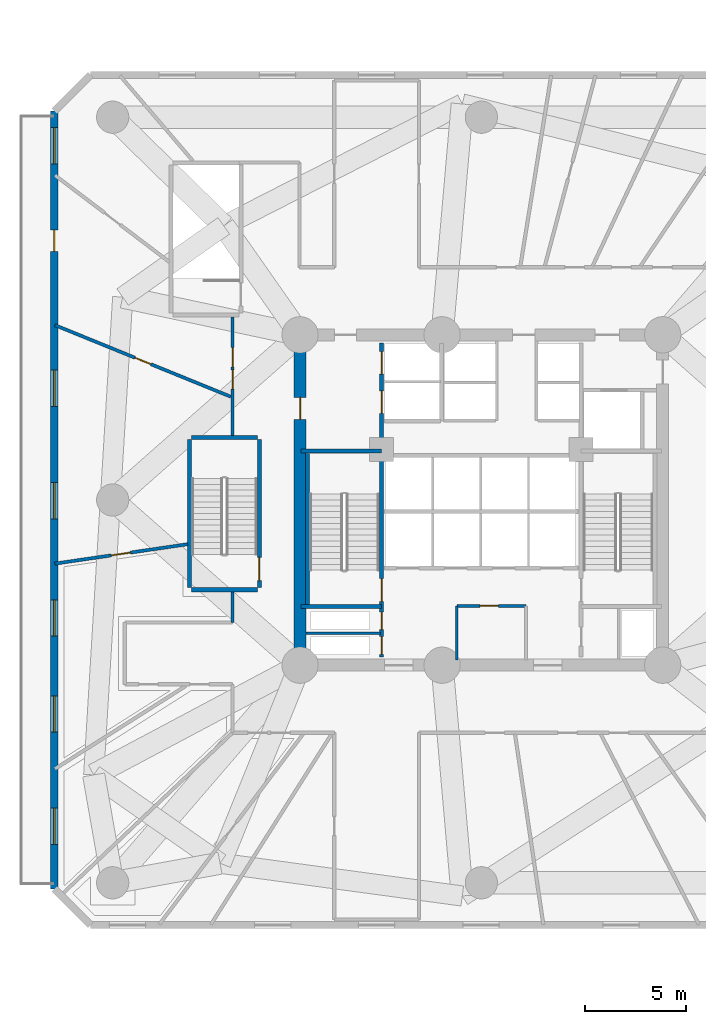
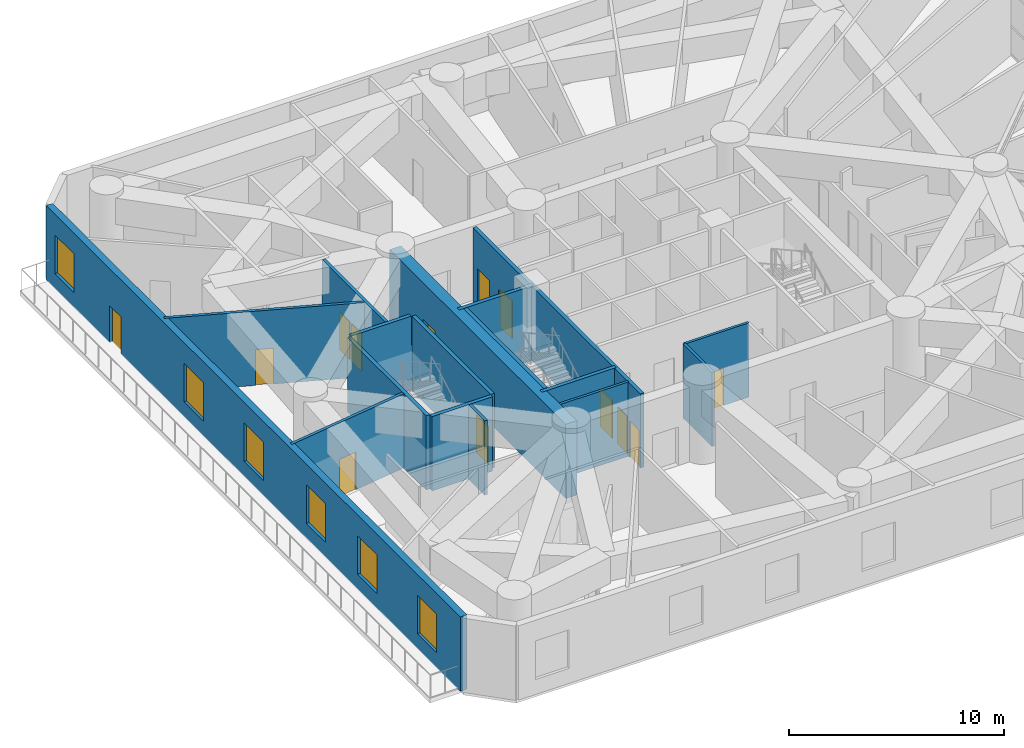
# One storey, part 14 of 22: 17 walls, 13 doors, 6 windows, 19 openings.
"""IFC4 building model written with IfcOpenShell, lengths in metres."""

from ifc_helpers import new_model, si_unit, direction, frame, frame_2d, origin, origin_with_axes, place, context, subcontext, project, spatial, rectangle, extrude, source, transform, mapped, material, layer, layer_set, type_object, element, fill, save


model = new_model("IFC4")

# Units and contexts
model_context = context("Model", 3, precision=1e-05, world=origin(), true_north=direction((0.0, 1.0)))
body_context = subcontext(model_context, "Body", "Model", "MODEL_VIEW")
ifc_project = project(units=[si_unit("LENGTHUNIT", "METRE"), si_unit("AREAUNIT", "SQUARE_METRE"), si_unit("VOLUMEUNIT", "CUBIC_METRE"), si_unit("PLANEANGLEUNIT", "RADIAN"), si_unit("MASSUNIT", "GRAM", prefix="KILO")], contexts=[model_context])

# Site, building, storey
site_placement = place(None, origin())
site = spatial("IfcSite", under=ifc_project, at=site_placement, CompositionType="ELEMENT")
building_placement = place(site_placement, origin())
building = spatial("IfcBuilding", under=site, at=building_placement, Name="Karkom Vertical University and Central Library", CompositionType="ELEMENT")
storey_placement = place(building_placement, frame((0.0, 0.0, 18.0)))
storey = spatial("IfcBuildingStorey", under=building, at=storey_placement, Name="L04", CompositionType="ELEMENT", Elevation=18.0)

# Wall, openings, windows, door
ifc_material_1 = material(Name="Brick masonry 360mm insulated cavity", Category="masonry")
ifc_layer_1 = layer(ifc_material_1, 0.360107421875)
ifc_layer_set_1 = layer_set([ifc_layer_1], Name="Brick masonry 360mm insulated cavity")
wall_type_1 = type_object("IfcWallType", Name="ENV-WL-BRK-360", PredefinedType="SOLIDWALL", material=ifc_layer_set_1)
wall_1_placement = place(storey_placement, frame((7.300048828125, 45.800048828125, 0.0), z_axis=(0.0, 0.0, 1.0), x_axis=(0.0, -1.0, 0.0)))
wall_1 = element("IfcWall", 1, at=wall_1_placement, inside=storey, type_object=wall_type_1, Name="Level 04 POD Terracotta Brick Facade Wall 07", PredefinedType="SOLIDWALL", context=body_context, shape_type="SweptSolid", body=[
    extrude(rectangle(XDim=38.60009765625, YDim=0.360107421875, at=frame_2d((19.300048828125, 0.0))), origin(), (0.0, 0.0, 1.0), 4.22509765625),
])
opening_1_placement = place(wall_1_placement, frame((0.8173828125, 0.0, 0.85009765625)))
opening_1 = element("IfcOpeningElement", 2, at=opening_1_placement, cuts=wall_1, Name="Opening WN-01", PredefinedType="OPENING", context=body_context, shape_type="SweptSolid", body=[
    extrude(rectangle(XDim=1.800048828125, YDim=2.199951171875, at=frame_2d((0.89990234375, 1.10009765625))), frame((0.0, 0.18994140625, 0.0), z_axis=(0.0, -1.0, 0.0), x_axis=(1.0, 0.0, 0.0)), (0.0, 0.0, 1.0), 0.380126953125),
])
opening_2_placement = place(wall_1_placement, frame((12.8486328125, 0.0, 0.85009765625)))
opening_2 = element("IfcOpeningElement", 3, at=opening_2_placement, cuts=wall_1, Name="Opening WN-01", PredefinedType="OPENING", context=body_context, shape_type="SweptSolid", body=[
    extrude(rectangle(XDim=1.800048828125, YDim=2.199951171875, at=frame_2d((0.89990234375, 1.10009765625))), frame((0.0, 0.18994140625, 0.0), z_axis=(0.0, -1.0, 0.0), x_axis=(1.0, 0.0, 0.0)), (0.0, 0.0, 1.0), 0.380126953125),
])
opening_3_placement = place(wall_1_placement, frame((18.439453125, 0.0, 0.85009765625)))
opening_3 = element("IfcOpeningElement", 4, at=opening_3_placement, cuts=wall_1, Name="Opening WN-01", PredefinedType="OPENING", context=body_context, shape_type="SweptSolid", body=[
    extrude(rectangle(XDim=1.800048828125, YDim=2.199951171875, at=frame_2d((0.89990234375, 1.10009765625))), frame((0.0, 0.18994140625, 0.0), z_axis=(0.0, -1.0, 0.0), x_axis=(1.0, 0.0, 0.0)), (0.0, 0.0, 1.0), 0.380126953125),
])
opening_4_placement = place(wall_1_placement, frame((24.25830078125, 0.0, 0.85009765625)))
opening_4 = element("IfcOpeningElement", 5, at=opening_4_placement, cuts=wall_1, Name="Opening WN-01", PredefinedType="OPENING", context=body_context, shape_type="SweptSolid", body=[
    extrude(rectangle(XDim=1.800048828125, YDim=2.199951171875, at=frame_2d((0.89990234375, 1.10009765625))), frame((0.0, 0.18994140625, 0.0), z_axis=(0.0, -1.0, 0.0), x_axis=(1.0, 0.0, 0.0)), (0.0, 0.0, 1.0), 0.380126953125),
])
opening_5_placement = place(wall_1_placement, frame((29.025146484375, 0.0, 0.85009765625)))
opening_5 = element("IfcOpeningElement", 6, at=opening_5_placement, cuts=wall_1, Name="Opening WN-01", PredefinedType="OPENING", context=body_context, shape_type="SweptSolid", body=[
    extrude(rectangle(XDim=1.800048828125, YDim=2.199951171875, at=frame_2d((0.89990234375, 1.10009765625))), frame((0.0, 0.18994140625, 0.0), z_axis=(0.0, -1.0, 0.0), x_axis=(1.0, 0.0, 0.0)), (0.0, 0.0, 1.0), 0.380126953125),
])
opening_6_placement = place(wall_1_placement, frame((34.59912109375, 0.0, 0.85009765625)))
opening_6 = element("IfcOpeningElement", 7, at=opening_6_placement, cuts=wall_1, Name="Opening WN-01", PredefinedType="OPENING", context=body_context, shape_type="SweptSolid", body=[
    extrude(rectangle(XDim=1.800048828125, YDim=2.199951171875, at=frame_2d((0.89990234375, 1.10009765625))), frame((0.0, 0.18994140625, 0.0), z_axis=(0.0, -1.0, 0.0), x_axis=(1.0, 0.0, 0.0)), (0.0, 0.0, 1.0), 0.380126953125),
])
opening_7_placement = place(wall_1_placement, frame((5.908203125, 0.0, 0.0)))
opening_7 = element("IfcOpeningElement", 8, at=opening_7_placement, cuts=wall_1, Name="Opening TD-1", PredefinedType="OPENING", context=body_context, shape_type="SweptSolid", body=[
    extrude(rectangle(XDim=1.050048828125, YDim=2.1201171875, at=frame_2d((0.52490234375, 1.06005859375))), frame((0.0, 0.18994140625, 0.0), z_axis=(0.0, -1.0, 0.0), x_axis=(1.0, 0.0, 0.0)), (0.0, 0.0, 1.0), 0.380126953125),
])
ifc_material_2 = material(Name="Aluminium thermal-break frame with solar-control IGU", Category="aluminium")
window_type = type_object("IfcWindowType", Name="ENV-WIN-WN-01", PartitioningType="SINGLE_PANEL", PredefinedType="WINDOW", material=ifc_material_2)
shared_shape_1 = source(origin_with_axes(), body_context, "Body", "SweptSolid", [
    extrude(rectangle(XDim=1.800048828125, YDim=2.199951171875, at=frame_2d((0.89990234375, 1.10009765625))), frame((0.0, 0.030029296875, 0.0), z_axis=(0.0, -1.0, 0.0), x_axis=(1.0, 0.0, 0.0)), (0.0, 0.0, 1.0), 0.06005859375),
])
window_1_placement = place(opening_1_placement, origin())
window_1 = element("IfcWindow", 9, at=window_1_placement, inside=storey, type_object=window_type, Name="Level 04 POD Punched Window 01", OverallHeight=2.199951171875, OverallWidth=1.800048828125, PartitioningType="SINGLE_PANEL", PredefinedType="WINDOW", context=body_context, shape_type="MappedRepresentation", body=[
    mapped(shared_shape_1, transform((0.0, 0.0, 0.0), scale=1.0)),
])
fill(opening_1, window_1)
window_2_placement = place(opening_2_placement, origin())
window_2 = element("IfcWindow", 10, at=window_2_placement, inside=storey, type_object=window_type, Name="Level 04 POD Punched Window 03", OverallHeight=2.199951171875, OverallWidth=1.800048828125, PartitioningType="SINGLE_PANEL", PredefinedType="WINDOW", context=body_context, shape_type="MappedRepresentation", body=[
    mapped(shared_shape_1, transform((0.0, 0.0, 0.0), scale=1.0)),
])
fill(opening_2, window_2)
window_3_placement = place(opening_3_placement, origin())
window_3 = element("IfcWindow", 11, at=window_3_placement, inside=storey, type_object=window_type, Name="Level 04 POD Punched Window 04", OverallHeight=2.199951171875, OverallWidth=1.800048828125, PartitioningType="SINGLE_PANEL", PredefinedType="WINDOW", context=body_context, shape_type="MappedRepresentation", body=[
    mapped(shared_shape_1, transform((0.0, 0.0, 0.0), scale=1.0)),
])
fill(opening_3, window_3)
window_4_placement = place(opening_4_placement, origin())
window_4 = element("IfcWindow", 12, at=window_4_placement, inside=storey, type_object=window_type, Name="Level 04 POD Punched Window 05", OverallHeight=2.199951171875, OverallWidth=1.800048828125, PartitioningType="SINGLE_PANEL", PredefinedType="WINDOW", context=body_context, shape_type="MappedRepresentation", body=[
    mapped(shared_shape_1, transform((0.0, 0.0, 0.0), scale=1.0)),
])
fill(opening_4, window_4)
window_5_placement = place(opening_5_placement, origin())
window_5 = element("IfcWindow", 13, at=window_5_placement, inside=storey, type_object=window_type, Name="Level 04 POD Punched Window 06", OverallHeight=2.199951171875, OverallWidth=1.800048828125, PartitioningType="SINGLE_PANEL", PredefinedType="WINDOW", context=body_context, shape_type="MappedRepresentation", body=[
    mapped(shared_shape_1, transform((0.0, 0.0, 0.0), scale=1.0)),
])
fill(opening_5, window_5)
window_6_placement = place(opening_6_placement, origin())
window_6 = element("IfcWindow", 14, at=window_6_placement, inside=storey, type_object=window_type, Name="Level 04 POD Punched Window 07", OverallHeight=2.199951171875, OverallWidth=1.800048828125, PartitioningType="SINGLE_PANEL", PredefinedType="WINDOW", context=body_context, shape_type="MappedRepresentation", body=[
    mapped(shared_shape_1, transform((0.0, 0.0, 0.0), scale=1.0)),
])
fill(opening_6, window_6)
ifc_material_3 = material(Name="Thermally broken glazed aluminium terrace door", Category="aluminium")
door_type_1 = type_object("IfcDoorType", Name="ENV-DR-TERR", OperationType="NOTDEFINED", PredefinedType="DOOR", material=ifc_material_3)
shared_shape_2 = source(origin_with_axes(), body_context, "Body", "SweptSolid", [
    extrude(rectangle(XDim=1.050048828125, YDim=2.1201171875, at=frame_2d((0.52490234375, 1.06005859375))), frame((0.0, 0.02490234375, 0.0), z_axis=(0.0, -1.0, 0.0), x_axis=(1.0, 0.0, 0.0)), (0.0, 0.0, 1.0), 0.050048828125),
])
door_1_placement = place(opening_7_placement, origin())
door_1 = element("IfcDoor", 15, at=door_1_placement, inside=storey, type_object=door_type_1, Name="Level 04 Outdoor Terrace Access Door", OperationType="SINGLE_SWING_RIGHT", OverallHeight=2.1201171875, OverallWidth=1.050048828125, PredefinedType="DOOR", context=body_context, shape_type="MappedRepresentation", body=[
    mapped(shared_shape_2, transform((0.0, 0.0, 0.0), scale=1.0)),
])
fill(opening_7, door_1)

# Wall, opening, door
ifc_material_4 = material(Name="Insulated metal-stud drywall 160mm", Category="gypsum")
ifc_layer_2 = layer(ifc_material_4, 0.159912109375)
ifc_layer_set_2 = layer_set([ifc_layer_2], Name="Insulated metal-stud drywall 160mm")
wall_type_2 = type_object("IfcWallType", Name="INT-WL-COR-160", PredefinedType="PARTITIONING", material=ifc_layer_set_2)
wall_2_placement = place(storey_placement, frame((16.068115234375, 31.6240234375, 0.0), z_axis=(0.0, 0.0, 1.0), x_axis=(-0.92624533241, 0.376921190952, 0.0)))
wall_2 = element("IfcWall", 16, at=wall_2_placement, inside=storey, type_object=wall_type_2, Name="Level 04 Interior Partition Wall Level 04-PODW-32-33-1", PredefinedType="PARTITIONING", context=body_context, shape_type="SweptSolid", body=[
    extrude(rectangle(XDim=9.43408203125, YDim=0.159912109375, at=frame_2d((4.717041015625, 0.0))), origin(), (0.0, 0.0, 1.0), 4.22509765625),
])
opening_8_placement = place(wall_2_placement, frame((4.287109375, 0.0, 0.0)))
opening_8 = element("IfcOpeningElement", 17, at=opening_8_placement, cuts=wall_2, Name="Opening FD-BTH2", PredefinedType="OPENING", context=body_context, shape_type="SweptSolid", body=[
    extrude(rectangle(XDim=0.860107421875, YDim=2.0400390625, at=frame_2d((0.43017578125, 1.02001953125))), frame((0.0, 0.08984375, 0.0), z_axis=(0.0, -1.0, 0.0), x_axis=(1.0, 0.0, 0.0)), (0.0, 0.0, 1.0), 0.179931640625),
])
ifc_material_5 = material(Name="Fire-rated moisture-resistant oak door", Category="wood")
door_type_2 = type_object("IfcDoorType", Name="INT-DR-FBTH2", OperationType="NOTDEFINED", PredefinedType="DOOR", material=ifc_material_5)
shared_shape_3 = source(origin_with_axes(), body_context, "Body", "SweptSolid", [
    extrude(rectangle(XDim=0.860107421875, YDim=2.0400390625, at=frame_2d((0.43017578125, 1.02001953125))), frame((0.0, 0.02490234375, 0.0), z_axis=(0.0, -1.0, 0.0), x_axis=(1.0, 0.0, 0.0)), (0.0, 0.0, 1.0), 0.050048828125),
])
door_2_placement = place(opening_8_placement, origin())
door_2 = element("IfcDoor", 18, at=door_2_placement, inside=storey, type_object=door_type_2, Name="Level 04 Senior Architecture Classroom Entry Door", OperationType="SINGLE_SWING_RIGHT", OverallHeight=2.0400390625, OverallWidth=0.860107421875, PredefinedType="DOOR", context=body_context, shape_type="MappedRepresentation", body=[
    mapped(shared_shape_3, transform((0.0, 0.0, 0.0), scale=1.0)),
])
fill(opening_8, door_2)

wall_3_placement = place(storey_placement, frame((7.32568359375, 23.33984375, 0.0), z_axis=(0.0, 0.0, 1.0), x_axis=(0.989453263478, 0.144852474582, 0.0)))
wall_3 = element("IfcWall", 19, at=wall_3_placement, inside=storey, type_object=wall_type_2, Name="Level 04 Interior Partition Wall Level 04-PODW-01-34-1", PredefinedType="PARTITIONING", context=body_context, shape_type="SweptSolid", body=[
    extrude(rectangle(XDim=6.672607421875, YDim=0.159912109375, at=frame_2d((3.33642578125, 0.0))), origin(), (0.0, 0.0, 1.0), 4.22509765625),
])
opening_9_placement = place(wall_3_placement, frame((2.836181640625, 0.0, 0.0)))
opening_9 = element("IfcOpeningElement", 20, at=opening_9_placement, cuts=wall_3, Name="Opening FD-RM2", PredefinedType="OPENING", context=body_context, shape_type="SweptSolid", body=[
    extrude(rectangle(XDim=0.9599609375, YDim=2.14990234375, at=frame_2d((0.47998046875, 1.074951171875))), frame((0.0, 0.08984375, 0.0), z_axis=(0.0, -1.0, 0.0), x_axis=(1.0, 0.0, 0.0)), (0.0, 0.0, 1.0), 0.179931640625),
])
ifc_material_6 = material(Name="Fire-rated oak veneer door", Category="wood")
door_type_3 = type_object("IfcDoorType", Name="INT-DR-FRM2", OperationType="NOTDEFINED", PredefinedType="DOOR", material=ifc_material_6)
shared_shape_4 = source(origin_with_axes(), body_context, "Body", "SweptSolid", [
    extrude(rectangle(XDim=0.9599609375, YDim=2.14990234375, at=frame_2d((0.47998046875, 1.074951171875))), frame((0.0, 0.02490234375, 0.0), z_axis=(0.0, -1.0, 0.0), x_axis=(1.0, 0.0, 0.0)), (0.0, 0.0, 1.0), 0.050048828125),
])
door_3_placement = place(opening_9_placement, origin())
door_3 = element("IfcDoor", 21, at=door_3_placement, inside=storey, type_object=door_type_3, Name="Level 04 Room Entry Door 833", OperationType="SINGLE_SWING_LEFT", OverallHeight=2.14990234375, OverallWidth=0.9599609375, PredefinedType="DOOR", context=body_context, shape_type="MappedRepresentation", body=[
    mapped(shared_shape_4, transform((0.0, 0.0, 0.0), scale=1.0)),
])
fill(opening_9, door_3)

# Wall, openings, doors
wall_4_placement = place(storey_placement, frame((16.14990234375, 29.7119140625, 0.0), z_axis=(0.0, 0.0, 1.0), x_axis=(0.0, 1.0, 0.0)))
wall_4 = element("IfcWall", 22, at=wall_4_placement, inside=storey, type_object=wall_type_2, Name="Level 04 Interior Partition Wall Level 04-PDCW-CW-001", PredefinedType="PARTITIONING", context=body_context, shape_type="SweptSolid", body=[
    extrude(rectangle(XDim=5.86083984375, YDim=0.159912109375, at=frame_2d((2.930419921875, 0.0))), origin(), (0.0, 0.0, 1.0), 4.22509765625),
])
opening_10_placement = place(wall_4_placement, frame((2.2900390625, 0.0, 0.0)))
opening_10 = element("IfcOpeningElement", 23, at=opening_10_placement, cuts=wall_4, Name="Opening FD-RM2", PredefinedType="OPENING", context=body_context, shape_type="SweptSolid", body=[
    extrude(rectangle(XDim=0.9599609375, YDim=2.14990234375, at=frame_2d((0.47998046875, 1.074951171875))), frame((0.0, 0.08984375, 0.0), z_axis=(0.0, -1.0, 0.0), x_axis=(1.0, 0.0, 0.0)), (0.0, 0.0, 1.0), 0.179931640625),
])
opening_11_placement = place(wall_4_placement, frame((3.3974609375, 0.0, 0.0)))
opening_11 = element("IfcOpeningElement", 24, at=opening_11_placement, cuts=wall_4, Name="Opening FD-RM2", PredefinedType="OPENING", context=body_context, shape_type="SweptSolid", body=[
    extrude(rectangle(XDim=0.9599609375, YDim=2.14990234375, at=frame_2d((0.47998046875, 1.074951171875))), frame((0.0, 0.08984375, 0.0), z_axis=(0.0, -1.0, 0.0), x_axis=(1.0, 0.0, 0.0)), (0.0, 0.0, 1.0), 0.179931640625),
])
door_4_placement = place(opening_10_placement, origin())
door_4 = element("IfcDoor", 25, at=door_4_placement, inside=storey, type_object=door_type_3, Name="Level 04 Room Entry Door 831", OperationType="SINGLE_SWING_LEFT", OverallHeight=2.14990234375, OverallWidth=0.9599609375, PredefinedType="DOOR", context=body_context, shape_type="MappedRepresentation", body=[
    mapped(shared_shape_4, transform((0.0, 0.0, 0.0), scale=1.0)),
])
fill(opening_10, door_4)
door_5_placement = place(opening_11_placement, origin())
door_5 = element("IfcDoor", 26, at=door_5_placement, inside=storey, type_object=door_type_3, Name="Level 04 Room Entry Door 832", OperationType="SINGLE_SWING_RIGHT", OverallHeight=2.14990234375, OverallWidth=0.9599609375, PredefinedType="DOOR", context=body_context, shape_type="MappedRepresentation", body=[
    mapped(shared_shape_4, transform((0.0, 0.0, 0.0), scale=1.0)),
])
fill(opening_11, door_5)

# Wall
wall_5_placement = place(storey_placement, frame((16.14990234375, 20.419921875, 0.0), z_axis=(0.0, 0.0, 1.0), x_axis=(0.0, 1.0, 0.0)))
element("IfcWall", 27, at=wall_5_placement, inside=storey, type_object=wall_type_2, Name="Level 04 Interior Partition Wall Level 04-PDCW-CW-019", PredefinedType="PARTITIONING", context=body_context, shape_type="SweptSolid", body=[
    extrude(rectangle(XDim=1.51806640625, YDim=0.159912109375, at=frame_2d((0.759033203125, 0.0))), origin(), (0.0, 0.0, 1.0), 4.22509765625),
])

# Wall, opening, door
ifc_material_7 = material(Name="Metal-stud gypsum partition 140mm", Category="gypsum")
ifc_layer_3 = layer(ifc_material_7, 0.139892578125)
ifc_layer_set_3 = layer_set([ifc_layer_3], Name="Metal-stud gypsum partition 140mm")
wall_type_3 = type_object("IfcWallType", Name="INT-WL-SUB-140", PredefinedType="PARTITIONING", material=ifc_layer_set_3)
wall_6_placement = place(storey_placement, frame((27.280029296875, 21.239990234375, 0.0), z_axis=(0.0, 0.0, 1.0), x_axis=(1.0, 0.0, 0.0)))
wall_6 = element("IfcWall", 28, at=wall_6_placement, inside=storey, type_object=wall_type_3, Name="Level 04 Interior Partition Wall Level 04-CW-KBAY-N", PredefinedType="PARTITIONING", context=body_context, shape_type="SweptSolid", body=[
    extrude(rectangle(XDim=3.43994140625, YDim=0.139892578125, at=frame_2d((1.719970703125, 0.0))), origin(), (0.0, 0.0, 1.0), 4.22509765625),
])
opening_12_placement = place(wall_6_placement, frame((1.14990234375, 0.0, 0.0)))
opening_12 = element("IfcOpeningElement", 29, at=opening_12_placement, cuts=wall_6, Name="Opening D-SVC1", PredefinedType="OPENING", context=body_context, shape_type="SweptSolid", body=[
    extrude(rectangle(XDim=0.919921875, YDim=2.10009765625, at=frame_2d((0.4599609375, 1.050048828125))), frame((0.0, 0.080078125, 0.0), z_axis=(0.0, -1.0, 0.0), x_axis=(1.0, 0.0, 0.0)), (0.0, 0.0, 1.0), 0.159912109375),
])
ifc_material_8 = material(Name="Painted timber service door", Category="wood")
door_type_4 = type_object("IfcDoorType", Name="INT-DR-SVC1", OperationType="NOTDEFINED", PredefinedType="DOOR", material=ifc_material_8)
shared_shape_5 = source(origin_with_axes(), body_context, "Body", "SweptSolid", [
    extrude(rectangle(XDim=0.919921875, YDim=2.10009765625, at=frame_2d((0.4599609375, 1.050048828125))), frame((0.0, 0.02490234375, 0.0), z_axis=(0.0, -1.0, 0.0), x_axis=(1.0, 0.0, 0.0)), (0.0, 0.0, 1.0), 0.050048828125),
])
door_6_placement = place(opening_12_placement, origin())
door_6 = element("IfcDoor", 30, at=door_6_placement, inside=storey, type_object=door_type_4, Name="Level 04 Comms Room Door", OperationType="SINGLE_SWING_LEFT", OverallHeight=2.10009765625, OverallWidth=0.919921875, PredefinedType="DOOR", context=body_context, shape_type="MappedRepresentation", body=[
    mapped(shared_shape_5, transform((0.0, 0.0, 0.0), scale=1.0)),
])
fill(opening_12, door_6)

# Walls
wall_7_placement = place(storey_placement, frame((27.280029296875, 18.550048828125, 0.0), z_axis=(0.0, 0.0, 1.0), x_axis=(0.0, 1.0, 0.0)))
element("IfcWall", 31, at=wall_7_placement, inside=storey, type_object=wall_type_3, Name="Level 04 Interior Partition Wall Level 04-CW-KBAY-W", PredefinedType="PARTITIONING", context=body_context, shape_type="SweptSolid", body=[
    extrude(rectangle(XDim=2.68994140625, YDim=0.139892578125, at=frame_2d((1.344970703125, 0.0))), origin(), (0.0, 0.0, 1.0), 4.22509765625),
])
ifc_layer_4 = layer(ifc_material_7, 0.139892578125)
ifc_layer_set_4 = layer_set([ifc_layer_4], Name="Metal-stud gypsum partition 140mm")
wall_type_4 = type_object("IfcWallType", Name="INT-WL-SUB-140H", PredefinedType="PARTITIONING", material=ifc_layer_set_4)
wall_8_placement = place(storey_placement, frame((19.806884765625, 19.889892578125, 0.0), z_axis=(0.0, 0.0, 1.0), x_axis=(1.0, 0.0, 0.0)))
element("IfcWall", 32, at=wall_8_placement, inside=storey, type_object=wall_type_4, Name="Level 04 Interior Partition Wall Level 04-CW-RIS-W", PredefinedType="PARTITIONING", context=body_context, shape_type="SweptSolid", body=[
    extrude(rectangle(XDim=3.68896484375, YDim=0.139892578125, at=frame_2d((1.844482421875, 0.0))), origin(), (0.0, 0.0, 1.0), 4.22509765625),
])

# Wall, opening, door
ifc_material_9 = material(Name="Concrete C50/60", Category="concrete")
ifc_layer_5 = layer(ifc_material_9, 0.60009765625)
ifc_layer_set_5 = layer_set([ifc_layer_5], Name="Concrete C50/60")
wall_type_5 = type_object("IfcWallType", Name="STR-WL-CW-600", PredefinedType="SHEAR", material=ifc_layer_set_5)
wall_9_placement = place(storey_placement, frame((19.5, 34.699951171875, 0.0), z_axis=(0.0, 0.0, 1.0), x_axis=(0.0, -1.0, 0.0)))
wall_9 = element("IfcWall", 33, at=wall_9_placement, inside=storey, type_object=wall_type_5, Name="Level 04 Central Core Shear Wall WW", PredefinedType="SHEAR", context=body_context, shape_type="SweptSolid", body=[
    extrude(rectangle(XDim=16.39990234375, YDim=0.60009765625, at=frame_2d((8.199951171875, 0.0))), origin(), (0.0, 0.0, 1.0), 4.22509765625),
])
opening_13_placement = place(wall_9_placement, frame((3.10009765625, 0.0, 0.0)))
opening_13 = element("IfcOpeningElement", 34, at=opening_13_placement, cuts=wall_9, Name="Opening FD-FFL", PredefinedType="OPENING", context=body_context, shape_type="SweptSolid", body=[
    extrude(rectangle(XDim=1.10009765625, YDim=2.14990234375, at=frame_2d((0.550048828125, 1.074951171875))), frame((0.0, 0.31005859375, 0.0), z_axis=(0.0, -1.0, 0.0), x_axis=(1.0, 0.0, 0.0)), (0.0, 0.0, 1.0), 0.6201171875),
])
ifc_material_10 = material(Name="Painted steel smoke-seal fire door", Category="steel")
door_type_5 = type_object("IfcDoorType", Name="INT-DR-FFL", OperationType="NOTDEFINED", PredefinedType="DOOR", material=ifc_material_10)
shared_shape_6 = source(origin_with_axes(), body_context, "Body", "SweptSolid", [
    extrude(rectangle(XDim=1.10009765625, YDim=2.14990234375, at=frame_2d((0.550048828125, 1.074951171875))), frame((0.0, 0.02490234375, 0.0), z_axis=(0.0, -1.0, 0.0), x_axis=(1.0, 0.0, 0.0)), (0.0, 0.0, 1.0), 0.050048828125),
])
door_7_placement = place(opening_13_placement, origin())
door_7 = element("IfcDoor", 35, at=door_7_placement, inside=storey, type_object=door_type_5, Name="Level 04 West Corridor Firefighting Lobby Door", OperationType="SINGLE_SWING_LEFT", OverallHeight=2.14990234375, OverallWidth=1.10009765625, PredefinedType="DOOR", context=body_context, shape_type="MappedRepresentation", body=[
    mapped(shared_shape_6, transform((0.0, 0.0, 0.0), scale=1.0)),
])
fill(opening_13, door_7)

# Wall, openings, doors
ifc_material_11 = material(Name="Concrete C45/55", Category="concrete")
ifc_layer_6 = layer(ifc_material_11, 0.199951171875)
ifc_layer_set_6 = layer_set([ifc_layer_6], Name="Concrete C45/55")
wall_type_6 = type_object("IfcWallType", Name="STR-WL-ST-200", PredefinedType="SHEAR", material=ifc_layer_set_6)
wall_10_placement = place(storey_placement, frame((23.544921875, 18.699951171875, 0.0), z_axis=(0.0, 0.0, 1.0), x_axis=(0.0, 1.0, 0.0)))
wall_10 = element("IfcWall", 36, at=wall_10_placement, inside=storey, type_object=wall_type_6, Name="Level 04 Core Shaft Wall Level 04-CW-ST1-E", PredefinedType="SHEAR", context=body_context, shape_type="SweptSolid", body=[
    extrude(rectangle(XDim=15.60009765625, YDim=0.199951171875, at=frame_2d((7.800048828125, 0.0))), origin(), (0.0, 0.0, 1.0), 4.22509765625),
])
opening_14_placement = place(wall_10_placement, frame((2.75, 0.0, 0.0)))
opening_14 = element("IfcOpeningElement", 37, at=opening_14_placement, cuts=wall_10, Name="Opening FD-ST1", PredefinedType="OPENING", context=body_context, shape_type="SweptSolid", body=[
    extrude(rectangle(XDim=1.14990234375, YDim=2.14990234375, at=frame_2d((0.574951171875, 1.074951171875))), frame((0.0, 0.10986328125, 0.0), z_axis=(0.0, -1.0, 0.0), x_axis=(1.0, 0.0, 0.0)), (0.0, 0.0, 1.0), 0.219970703125),
])
opening_15_placement = place(wall_10_placement, frame((0.139892578125, 0.0, 0.0)))
opening_15 = element("IfcOpeningElement", 38, at=opening_15_placement, cuts=wall_10, Name="Opening FD-RIS", PredefinedType="OPENING", context=body_context, shape_type="SweptSolid", body=[
    extrude(rectangle(XDim=0.8798828125, YDim=2.10009765625, at=frame_2d((0.43994140625, 1.050048828125))), frame((0.0, 0.10986328125, 0.0), z_axis=(0.0, -1.0, 0.0), x_axis=(1.0, 0.0, 0.0)), (0.0, 0.0, 1.0), 0.219970703125),
])
opening_16_placement = place(wall_10_placement, frame((1.360107421875, 0.0, 0.0)))
opening_16 = element("IfcOpeningElement", 39, at=opening_16_placement, cuts=wall_10, Name="Opening FD-RIS", PredefinedType="OPENING", context=body_context, shape_type="SweptSolid", body=[
    extrude(rectangle(XDim=0.8798828125, YDim=2.10009765625, at=frame_2d((0.43994140625, 1.050048828125))), frame((0.0, 0.10986328125, 0.0), z_axis=(0.0, -1.0, 0.0), x_axis=(1.0, 0.0, 0.0)), (0.0, 0.0, 1.0), 0.219970703125),
])
opening_17_placement = place(wall_10_placement, frame((12.10009765625, 0.0, 0.0)))
opening_17 = element("IfcOpeningElement", 40, at=opening_17_placement, cuts=wall_10, Name="Opening LD-FFL", PredefinedType="OPENING", context=body_context, shape_type="SweptSolid", body=[
    extrude(rectangle(XDim=1.1201171875, YDim=2.14990234375, at=frame_2d((0.56005859375, 1.074951171875))), frame((0.0, 0.10986328125, 0.0), z_axis=(0.0, -1.0, 0.0), x_axis=(1.0, 0.0, 0.0)), (0.0, 0.0, 1.0), 0.219970703125),
])
opening_18_placement = place(wall_10_placement, frame((14.050048828125, 0.0, 0.0)))
opening_18 = element("IfcOpeningElement", 41, at=opening_18_placement, cuts=wall_10, Name="Opening LD-FFL", PredefinedType="OPENING", context=body_context, shape_type="SweptSolid", body=[
    extrude(rectangle(XDim=1.1201171875, YDim=2.14990234375, at=frame_2d((0.56005859375, 1.074951171875))), frame((0.0, 0.10986328125, 0.0), z_axis=(0.0, -1.0, 0.0), x_axis=(1.0, 0.0, 0.0)), (0.0, 0.0, 1.0), 0.219970703125),
])
ifc_material_12 = material(Name="Painted steel acoustic fire door", Category="steel")
door_type_6 = type_object("IfcDoorType", Name="INT-DR-ST1", OperationType="NOTDEFINED", PredefinedType="DOOR", material=ifc_material_12)
shared_shape_7 = source(origin_with_axes(), body_context, "Body", "SweptSolid", [
    extrude(rectangle(XDim=1.14990234375, YDim=2.14990234375, at=frame_2d((0.574951171875, 1.074951171875))), frame((0.0, 0.02490234375, 0.0), z_axis=(0.0, -1.0, 0.0), x_axis=(1.0, 0.0, 0.0)), (0.0, 0.0, 1.0), 0.050048828125),
])
door_8_placement = place(opening_14_placement, origin())
door_8 = element("IfcDoor", 42, at=door_8_placement, inside=storey, type_object=door_type_6, Name="Level 04 Stair ST-1 Fire Door", OperationType="SINGLE_SWING_RIGHT", OverallHeight=2.14990234375, OverallWidth=1.14990234375, PredefinedType="DOOR", context=body_context, shape_type="MappedRepresentation", body=[
    mapped(shared_shape_7, transform((0.0, 0.0, 0.0), scale=1.0)),
])
fill(opening_14, door_8)
ifc_material_13 = material(Name="Painted steel riser access door", Category="steel")
door_type_7 = type_object("IfcDoorType", Name="INT-DR-RIS", OperationType="NOTDEFINED", PredefinedType="DOOR", material=ifc_material_13)
shared_shape_8 = source(origin_with_axes(), body_context, "Body", "SweptSolid", [
    extrude(rectangle(XDim=0.8798828125, YDim=2.10009765625, at=frame_2d((0.43994140625, 1.050048828125))), frame((0.0, 0.02490234375, 0.0), z_axis=(0.0, -1.0, 0.0), x_axis=(1.0, 0.0, 0.0)), (0.0, 0.0, 1.0), 0.050048828125),
])
door_9_placement = place(opening_15_placement, origin())
door_9 = element("IfcDoor", 43, at=door_9_placement, inside=storey, type_object=door_type_7, Name="Level 04 Electrical Riser Access Door", OperationType="SINGLE_SWING_RIGHT", OverallHeight=2.10009765625, OverallWidth=0.8798828125, PredefinedType="DOOR", context=body_context, shape_type="MappedRepresentation", body=[
    mapped(shared_shape_8, transform((0.0, 0.0, 0.0), scale=1.0)),
])
fill(opening_15, door_9)
door_10_placement = place(opening_16_placement, origin())
door_10 = element("IfcDoor", 44, at=door_10_placement, inside=storey, type_object=door_type_7, Name="Level 04 Telecom Riser Access Door", OperationType="SINGLE_SWING_LEFT", OverallHeight=2.10009765625, OverallWidth=0.8798828125, PredefinedType="DOOR", context=body_context, shape_type="MappedRepresentation", body=[
    mapped(shared_shape_8, transform((0.0, 0.0, 0.0), scale=1.0)),
])
fill(opening_16, door_10)
ifc_material_14 = material(Name="Fire-rated stainless-steel landing door", Category="steel")
door_type_8 = type_object("IfcDoorType", Name="INT-DR-LD-FFL", OperationType="SLIDING_TO_LEFT", PredefinedType="DOOR", material=ifc_material_14)
shared_shape_9 = source(origin_with_axes(), body_context, "Body", "SweptSolid", [
    extrude(rectangle(XDim=1.1201171875, YDim=2.14990234375, at=frame_2d((0.56005859375, 1.074951171875))), frame((0.0, 0.02490234375, 0.0), z_axis=(0.0, -1.0, 0.0), x_axis=(1.0, 0.0, 0.0)), (0.0, 0.0, 1.0), 0.050048828125),
])
door_11_placement = place(opening_17_placement, origin())
door_11 = element("IfcDoor", 45, at=door_11_placement, inside=storey, type_object=door_type_8, Name="Level 04 Firefighting Lift FFL-1 Landing Door", OperationType="SLIDING_TO_LEFT", OverallHeight=2.14990234375, OverallWidth=1.1201171875, PredefinedType="DOOR", context=body_context, shape_type="MappedRepresentation", body=[
    mapped(shared_shape_9, transform((0.0, 0.0, 0.0), scale=1.0)),
])
fill(opening_17, door_11)
door_12_placement = place(opening_18_placement, origin())
door_12 = element("IfcDoor", 46, at=door_12_placement, inside=storey, type_object=door_type_8, Name="Level 04 Firefighting Lift FFL-2 Landing Door", OperationType="SLIDING_TO_RIGHT", OverallHeight=2.14990234375, OverallWidth=1.1201171875, PredefinedType="DOOR", context=body_context, shape_type="MappedRepresentation", body=[
    mapped(shared_shape_9, transform((0.0, 0.0, 0.0), scale=1.0)),
])
fill(opening_18, door_12)

# Walls
wall_11_placement = place(storey_placement, frame((19.875, 21.320068359375, 0.0), z_axis=(0.0, 0.0, 1.0), x_axis=(0.0, 1.0, 0.0)))
element("IfcWall", 47, at=wall_11_placement, inside=storey, type_object=wall_type_6, Name="Level 04 Core Shaft Wall Level 04-CW-ST1-W", PredefinedType="SHEAR", context=body_context, shape_type="SweptSolid", body=[
    extrude(rectangle(XDim=7.5, YDim=0.199951171875, at=frame_2d((3.75, 0.0))), origin(), (0.0, 0.0, 1.0), 4.22509765625),
])
wall_12_placement = place(storey_placement, frame((14.014892578125, 22.14990234375, 0.0), z_axis=(0.0, 0.0, 1.0), x_axis=(0.0, 1.0, 0.0)))
element("IfcWall", 48, at=wall_12_placement, inside=storey, type_object=wall_type_6, Name="Level 04 Core Shaft Wall Level 04-W-ST3-W", PredefinedType="SHEAR", context=body_context, shape_type="SweptSolid", body=[
    extrude(rectangle(XDim=7.35009765625, YDim=0.199951171875, at=frame_2d((3.675048828125, 0.0))), origin(), (0.0, 0.0, 1.0), 4.22509765625),
])

# Wall, opening, door
wall_13_placement = place(storey_placement, frame((17.485107421875, 22.14990234375, 0.0), z_axis=(0.0, 0.0, 1.0), x_axis=(0.0, 1.0, 0.0)))
wall_13 = element("IfcWall", 49, at=wall_13_placement, inside=storey, type_object=wall_type_6, Name="Level 04 Core Shaft Wall Level 04-W-ST3-E", PredefinedType="SHEAR", context=body_context, shape_type="SweptSolid", body=[
    extrude(rectangle(XDim=7.35009765625, YDim=0.199951171875, at=frame_2d((3.675048828125, 0.0))), origin(), (0.0, 0.0, 1.0), 4.22509765625),
])
opening_19_placement = place(wall_13_placement, frame((0.35009765625, 0.0, 0.0)))
opening_19 = element("IfcOpeningElement", 50, at=opening_19_placement, cuts=wall_13, Name="Opening FD-ST1", PredefinedType="OPENING", context=body_context, shape_type="SweptSolid", body=[
    extrude(rectangle(XDim=1.14990234375, YDim=2.14990234375, at=frame_2d((0.574951171875, 1.074951171875))), frame((0.0, 0.10986328125, 0.0), z_axis=(0.0, -1.0, 0.0), x_axis=(1.0, 0.0, 0.0)), (0.0, 0.0, 1.0), 0.219970703125),
])
door_13_placement = place(opening_19_placement, origin())
door_13 = element("IfcDoor", 51, at=door_13_placement, inside=storey, type_object=door_type_6, Name="Level 04 ST3 Stair Door", OperationType="SINGLE_SWING_LEFT", OverallHeight=2.14990234375, OverallWidth=1.14990234375, PredefinedType="DOOR", context=body_context, shape_type="MappedRepresentation", body=[
    mapped(shared_shape_7, transform((0.0, 0.0, 0.0), scale=1.0)),
])
fill(opening_19, door_13)

# Walls
for number, where, z_axis, x_axis, name in (
    (52, (19.550048828125, 21.215087890625, 0.0), (0.0, 0.0, 1.0), (1.0, 0.0, 0.0), "Level 04 Core Shaft Wall Level 04-CW-ST1-S"),
    (53, (19.550048828125, 28.925048828125, 0.0), (0.0, 0.0, 1.0), (1.0, 0.0, 0.0), "Level 04 Core Shaft Wall Level 04-CW-ST1-N"),
):
    element("IfcWall", number, at=place(storey_placement, frame(where, z_axis=z_axis, x_axis=x_axis)), inside=storey, type_object=wall_type_6, Name=name, PredefinedType="SHEAR", context=body_context, shape_type="SweptSolid", body=[
        extrude(rectangle(XDim=3.994873046875, YDim=0.199951171875, at=frame_2d((1.99755859375, 0.0))), origin(), (0.0, 0.0, 1.0), 4.22509765625),
    ])
for number, where, z_axis, x_axis, name in (
    (54, (14.1201171875, 22.044921875, 0.0), (0.0, 0.0, 1.0), (1.0, 0.0, 0.0), "Level 04 Core Shaft Wall Level 04-W-ST3-S"),
    (55, (14.1201171875, 29.60498046875, 0.0), (0.0, 0.0, 1.0), (1.0, 0.0, 0.0), "Level 04 Core Shaft Wall Level 04-W-ST3-N"),
):
    element("IfcWall", number, at=place(storey_placement, frame(where, z_axis=z_axis, x_axis=x_axis)), inside=storey, type_object=wall_type_6, Name=name, PredefinedType="SHEAR", context=body_context, shape_type="SweptSolid", body=[
        extrude(rectangle(XDim=3.259765625, YDim=0.199951171875, at=frame_2d((1.6298828125, 0.0))), origin(), (0.0, 0.0, 1.0), 4.22509765625),
    ])

save(model, "model.ifc")
